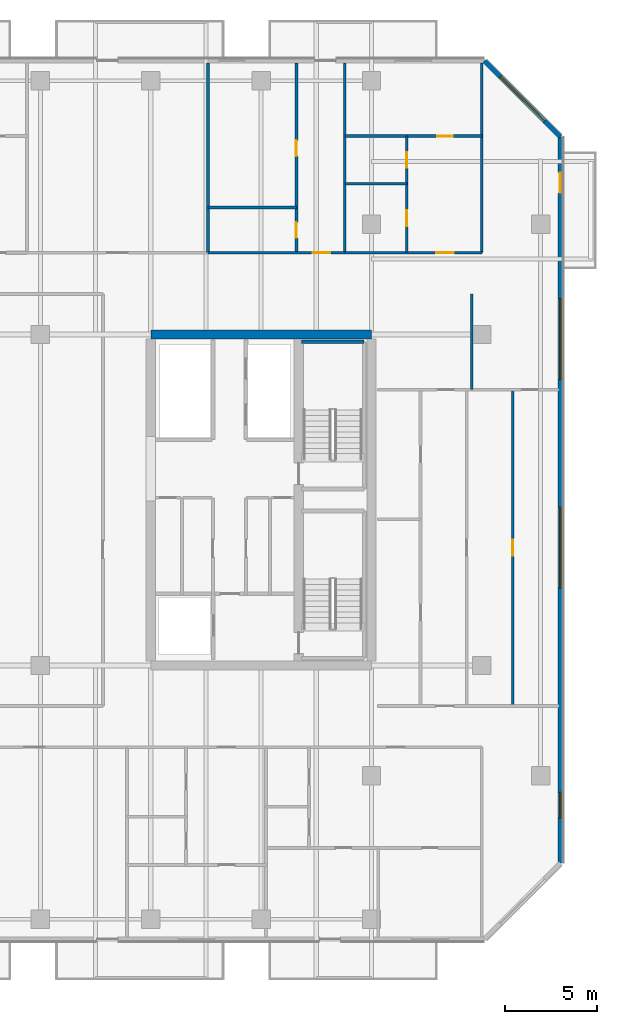
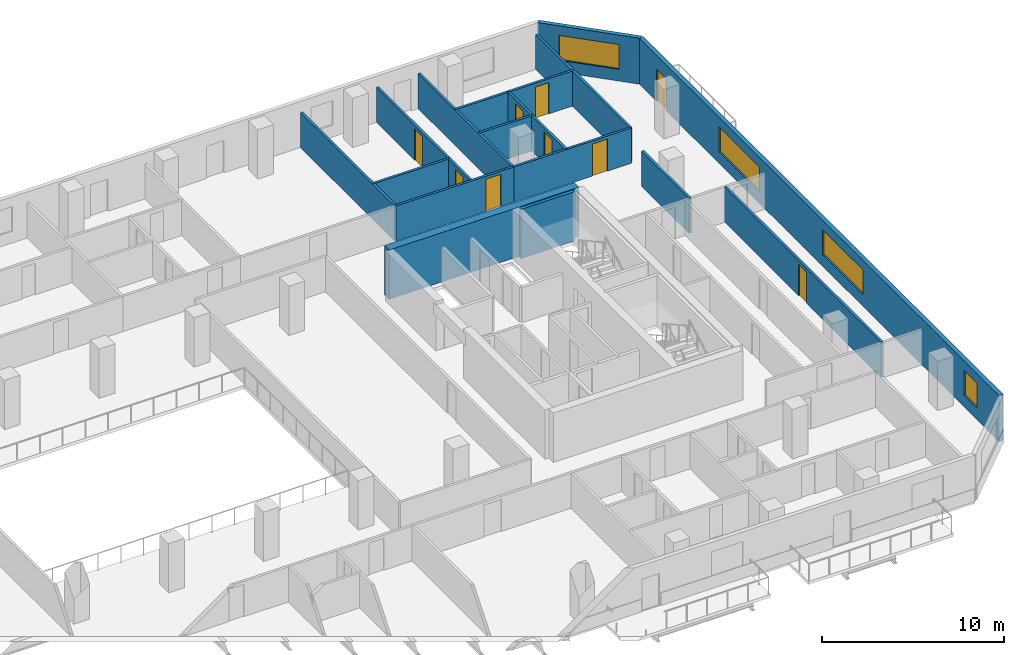
# One storey, part 16 of 23: 16 walls, 9 doors, 4 windows, 13 openings.
"""IFC4 building model written with IfcOpenShell, lengths in metres."""

from ifc_helpers import new_model, si_unit, direction, frame, frame_2d, origin, place, context, subcontext, project, spatial, rectangle, extrude, material, layer, layer_set, type_object, element, fill, save


model = new_model("IFC4")

# Units and contexts
model_context = context("Model", 3, precision=1e-05, world=origin(), true_north=direction((0.0, 1.0)))
body_context = subcontext(model_context, "Body", "Model", "MODEL_VIEW")
ifc_project = project(units=[si_unit("LENGTHUNIT", "METRE"), si_unit("AREAUNIT", "SQUARE_METRE"), si_unit("VOLUMEUNIT", "CUBIC_METRE"), si_unit("PLANEANGLEUNIT", "RADIAN"), si_unit("MASSUNIT", "GRAM", prefix="KILO")], contexts=[model_context])

# Site, building, storey
site_placement = place(None, origin())
site = spatial("IfcSite", under=ifc_project, at=site_placement, CompositionType="ELEMENT")
building_placement = place(site_placement, origin())
building = spatial("IfcBuilding", under=site, at=building_placement, Name="Tanjung Sevakor Pilgrim Tower", CompositionType="ELEMENT")
storey_placement = place(building_placement, frame((0.0, 0.0, 85.469970703125)))
storey = spatial("IfcBuildingStorey", under=building, at=storey_placement, Name="L23", CompositionType="ELEMENT", Elevation=85.469970703125)

# Walls
ifc_material_1 = material(Name="Concrete C60/75", Category="concrete")
ifc_layer_1 = layer(ifc_material_1, 0.5)
ifc_layer_set_1 = layer_set([ifc_layer_1], Name="WALL-CW-500")
wall_type_1 = type_object("IfcWallType", Name="WALL-CW-500", PredefinedType="SHEAR", material=ifc_layer_set_1)
wall_1_placement = place(storey_placement, frame((90.0, 42.60009765625, 0.0), z_axis=(0.0, 0.0, 1.0), x_axis=(-1.0, 0.0, 0.0)))
element("IfcWall", 1, at=wall_1_placement, inside=storey, type_object=wall_type_1, Name="L23 E Core North Shear Wall", PredefinedType="SHEAR", context=body_context, shape_type="SweptSolid", body=[
    extrude(rectangle(XDim=12.0, YDim=0.5, at=frame_2d((6.0, 0.0))), origin(), (0.0, 0.0, 1.0), 3.300048828125),
])
ifc_material_2 = material(Name="Concrete C40/50", Category="concrete")
ifc_layer_2 = layer(ifc_material_2, 0.14990234375)
ifc_layer_set_2 = layer_set([ifc_layer_2], Name="WT-COMP-150")
wall_type_2 = type_object("IfcWallType", Name="WT-COMP-150", PredefinedType="SOLIDWALL", material=ifc_layer_set_2)
for number, where, z_axis, x_axis, name in (
    (2, (96.0, 47.050048828125, 0.0), (0.0, 0.0, 1.0), (0.0, 1.0, 0.0), "L23 Partition IW-L23-094"),
    (3, (81.107421875, 47.050048828125, 0.0), (0.0, 0.0, 1.0), (0.0, 1.0, 0.0), "L23 Partition IW-L23-106"),
    (4, (88.5537109375, 47.050048828125, 0.0), (0.0, 0.0, 1.0), (0.0, 1.0, 0.0), "L23 Partition IW-L23-108"),
):
    element("IfcWall", number, at=place(storey_placement, frame(where, z_axis=z_axis, x_axis=x_axis)), inside=storey, type_object=wall_type_2, Name=name, PredefinedType="SOLIDWALL", context=body_context, shape_type="SweptSolid", body=[
        extrude(rectangle(XDim=10.300048828125, YDim=0.14990234375, at=frame_2d((5.14990234375, 0.0))), origin(), (0.0, 0.0, 1.0), 2.35009765625),
    ])

# Wall, opening, door
wall_2_placement = place(storey_placement, frame((81.107421875, 47.050048828125, 0.0), z_axis=(0.0, 0.0, 1.0), x_axis=(1.0, 0.0, 0.0)))
wall_2 = element("IfcWall", 5, at=wall_2_placement, inside=storey, type_object=wall_type_2, Name="L23 Partition IW-L23-111", PredefinedType="SOLIDWALL", context=body_context, shape_type="SweptSolid", body=[
    extrude(rectangle(XDim=7.4462890625, YDim=0.14990234375, at=frame_2d((3.72314453125, 0.0))), origin(), (0.0, 0.0, 1.0), 2.35009765625),
])
opening_1_placement = place(wall_2_placement, frame((5.6943359375, 0.0, 0.0)))
opening_1 = element("IfcOpeningElement", 6, at=opening_1_placement, cuts=wall_2, Name="Opening ID-FD2", PredefinedType="OPENING", context=body_context, shape_type="SweptSolid", body=[
    extrude(rectangle(XDim=0.949951171875, YDim=2.14990234375, at=frame_2d((0.47509765625, 1.074951171875))), frame((0.0, 0.0849609375, 0.0), z_axis=(0.0, -1.0, 0.0), x_axis=(1.0, 0.0, 0.0)), (0.0, 0.0, 1.0), 0.169921875),
])
ifc_material_3 = material(Name="Fire-Rated Timber", Category="wood")
door_type_1 = type_object("IfcDoorType", Name="DT-FIRE-950", OperationType="NOTDEFINED", PredefinedType="DOOR", material=ifc_material_3)
door_1_placement = place(opening_1_placement, origin())
door_1 = element("IfcDoor", 7, at=door_1_placement, inside=storey, type_object=door_type_1, Name="Hostel Quad Entrance", OperationType="SINGLE_SWING_RIGHT", OverallHeight=2.14990234375, OverallWidth=0.949951171875, PredefinedType="DOOR", context=body_context, shape_type="SweptSolid", body=[
    extrude(rectangle(XDim=0.949951171875, YDim=2.14990234375, at=frame_2d((0.47509765625, 1.074951171875))), frame((0.0, 0.02490234375, 0.0), z_axis=(0.0, -1.0, 0.0), x_axis=(1.0, 0.0, 0.0)), (0.0, 0.0, 1.0), 0.050048828125),
])
fill(opening_1, door_1)

wall_3_placement = place(storey_placement, frame((88.5537109375, 47.050048828125, 0.0), z_axis=(0.0, 0.0, 1.0), x_axis=(1.0, 0.0, 0.0)))
wall_3 = element("IfcWall", 8, at=wall_3_placement, inside=storey, type_object=wall_type_2, Name="L23 Partition IW-L23-115", PredefinedType="SOLIDWALL", context=body_context, shape_type="SweptSolid", body=[
    extrude(rectangle(XDim=7.4462890625, YDim=0.14990234375, at=frame_2d((3.72314453125, 0.0))), origin(), (0.0, 0.0, 1.0), 2.35009765625),
])
opening_2_placement = place(wall_3_placement, frame((4.97119140625, 0.0, 0.0)))
opening_2 = element("IfcOpeningElement", 9, at=opening_2_placement, cuts=wall_3, Name="Opening ID-FD2", PredefinedType="OPENING", context=body_context, shape_type="SweptSolid", body=[
    extrude(rectangle(XDim=0.949951171875, YDim=2.14990234375, at=frame_2d((0.47509765625, 1.074951171875))), frame((0.0, 0.0849609375, 0.0), z_axis=(0.0, -1.0, 0.0), x_axis=(1.0, 0.0, 0.0)), (0.0, 0.0, 1.0), 0.169921875),
])
door_2_placement = place(opening_2_placement, origin())
door_2 = element("IfcDoor", 10, at=door_2_placement, inside=storey, type_object=door_type_1, Name="Residence Entrance", OperationType="SINGLE_SWING_RIGHT", OverallHeight=2.14990234375, OverallWidth=0.949951171875, PredefinedType="DOOR", context=body_context, shape_type="SweptSolid", body=[
    extrude(rectangle(XDim=0.949951171875, YDim=2.14990234375, at=frame_2d((0.47509765625, 1.074951171875))), frame((0.0, 0.02490234375, 0.0), z_axis=(0.0, -1.0, 0.0), x_axis=(1.0, 0.0, 0.0)), (0.0, 0.0, 1.0), 0.050048828125),
])
fill(opening_2, door_2)

# Wall, openings, door, windows
ifc_material_4 = material(Name="Precast concrete C45/55", Category="concrete")
ifc_layer_3 = layer(ifc_material_4, 0.25)
ifc_layer_set_3 = layer_set([ifc_layer_3], Name="WT-EW-STN3")
wall_type_3 = type_object("IfcWallType", Name="WT-EW-STN3", PredefinedType="SOLIDWALL", material=ifc_layer_set_3)
wall_4_placement = place(storey_placement, frame((100.27490234375, 13.851806640625, 0.0), z_axis=(0.0, 0.0, 1.0), x_axis=(0.0, 1.0, 0.0)))
wall_4 = element("IfcWall", 11, at=wall_4_placement, inside=storey, type_object=wall_type_3, Name="L23 MAIN Exterior Wall 7", PredefinedType="SOLIDWALL", context=body_context, shape_type="SweptSolid", body=[
    extrude(rectangle(XDim=39.496337890625, YDim=0.25, at=frame_2d((19.748046875, 0.0))), origin(), (0.0, 0.0, 1.0), 3.080078125),
])
opening_3_placement = place(wall_4_placement, frame((36.4482421875, 0.0, 0.0)))
opening_3 = element("IfcOpeningElement", 12, at=opening_3_placement, cuts=wall_4, Name="Opening ED-BAL-1100", PredefinedType="OPENING", context=body_context, shape_type="SweptSolid", body=[
    extrude(rectangle(XDim=1.10009765625, YDim=2.14990234375, at=frame_2d((0.550048828125, 1.074951171875))), frame((0.0, 0.135009765625, 0.0), z_axis=(0.0, -1.0, 0.0), x_axis=(1.0, 0.0, 0.0)), (0.0, 0.0, 1.0), 0.27001953125),
])
opening_4_placement = place(wall_4_placement, frame((14.958251953125, 0.0, 0.780029296875)))
opening_4 = element("IfcOpeningElement", 13, at=opening_4_placement, cuts=wall_4, Name="Opening WN-ENDW-1660", PredefinedType="OPENING", context=body_context, shape_type="SweptSolid", body=[
    extrude(rectangle(XDim=4.39990234375, YDim=1.659912109375, at=frame_2d((2.199951171875, 0.830078125))), frame((0.0, 0.135009765625, 0.0), z_axis=(0.0, -1.0, 0.0), x_axis=(1.0, 0.0, 0.0)), (0.0, 0.0, 1.0), 0.27001953125),
])
opening_5_placement = place(wall_4_placement, frame((26.298095703125, 0.0, 0.780029296875)))
opening_5 = element("IfcOpeningElement", 14, at=opening_5_placement, cuts=wall_4, Name="Opening WN-ENDW-1660", PredefinedType="OPENING", context=body_context, shape_type="SweptSolid", body=[
    extrude(rectangle(XDim=4.39990234375, YDim=1.659912109375, at=frame_2d((2.199951171875, 0.830078125))), frame((0.0, 0.135009765625, 0.0), z_axis=(0.0, -1.0, 0.0), x_axis=(1.0, 0.0, 0.0)), (0.0, 0.0, 1.0), 0.27001953125),
])
opening_6_placement = place(wall_4_placement, frame((2.4541015625, 0.0, 0.780029296875)))
opening_6 = element("IfcOpeningElement", 15, at=opening_6_placement, cuts=wall_4, Name="Opening WN-END", PredefinedType="OPENING", context=body_context, shape_type="SweptSolid", body=[
    extrude(rectangle(XDim=1.39990234375, YDim=1.64990234375, at=frame_2d((0.699951171875, 0.824951171875))), frame((0.0, 0.135009765625, 0.0), z_axis=(0.0, -1.0, 0.0), x_axis=(1.0, 0.0, 0.0)), (0.0, 0.0, 1.0), 0.27001953125),
])
ifc_material_5 = material(Name="Anodised Aluminium and Laminated Glass", Category="aluminium")
door_type_2 = type_object("IfcDoorType", Name="DTYP-ED-BAL-1100", OperationType="NOTDEFINED", PredefinedType="DOOR", material=ifc_material_5)
door_3_placement = place(opening_3_placement, frame((1.10009765625, 0.0, 0.0), z_axis=(0.0, 0.0, 1.0), x_axis=(-1.0, 0.0, 0.0)))
door_3 = element("IfcDoor", 16, at=door_3_placement, inside=storey, type_object=door_type_2, Name="L23 East Loggia Door MAIN-E1", OperationType="SINGLE_SWING_RIGHT", OverallHeight=2.14990234375, OverallWidth=1.10009765625, PredefinedType="DOOR", context=body_context, shape_type="SweptSolid", body=[
    extrude(rectangle(XDim=1.10009765625, YDim=2.14990234375, at=frame_2d((0.550048828125, 1.074951171875))), frame((0.0, 0.02490234375, 0.0), z_axis=(0.0, -1.0, 0.0), x_axis=(1.0, 0.0, 0.0)), (0.0, 0.0, 1.0), 0.050048828125),
])
fill(opening_3, door_3)
ifc_material_6 = material(Name="Thermally Broken Aluminium and Low-E Glass", Category="aluminium")
window_type_1 = type_object("IfcWindowType", Name="WTYP-WN-END", PartitioningType="SINGLE_PANEL", PredefinedType="WINDOW", material=ifc_material_6)
window_1_placement = place(opening_6_placement, origin())
window_1 = element("IfcWindow", 17, at=window_1_placement, inside=storey, type_object=window_type_1, Name="L23 Facade Window 03", OverallHeight=1.64990234375, OverallWidth=1.39990234375, PartitioningType="SINGLE_PANEL", PredefinedType="WINDOW", context=body_context, shape_type="SweptSolid", body=[
    extrude(rectangle(XDim=1.39990234375, YDim=1.64990234375, at=frame_2d((0.699951171875, 0.824951171875))), frame((0.0, 0.030029296875, 0.0), z_axis=(0.0, -1.0, 0.0), x_axis=(1.0, 0.0, 0.0)), (0.0, 0.0, 1.0), 0.06005859375),
])
fill(opening_6, window_1)
ifc_material_7 = material(Name="Thermally Broken Aluminium and Low-E Glass", Category="aluminium")
window_type_2 = type_object("IfcWindowType", Name="WTYP-WN-ENDW-1660", PartitioningType="DOUBLE_PANEL_VERTICAL", PredefinedType="WINDOW", material=ifc_material_7)
window_2_placement = place(opening_4_placement, origin())
window_2 = element("IfcWindow", 18, at=window_2_placement, inside=storey, type_object=window_type_2, Name="L23 Facade Window 01", OverallHeight=1.659912109375, OverallWidth=4.39990234375, PartitioningType="SINGLE_PANEL", PredefinedType="WINDOW", context=body_context, shape_type="SweptSolid", body=[
    extrude(rectangle(XDim=4.39990234375, YDim=1.659912109375, at=frame_2d((2.199951171875, 0.830078125))), frame((0.0, 0.030029296875, 0.0), z_axis=(0.0, -1.0, 0.0), x_axis=(1.0, 0.0, 0.0)), (0.0, 0.0, 1.0), 0.06005859375),
])
fill(opening_4, window_2)
window_3_placement = place(opening_5_placement, origin())
window_3 = element("IfcWindow", 19, at=window_3_placement, inside=storey, type_object=window_type_2, Name="L23 Facade Window 02", OverallHeight=1.659912109375, OverallWidth=4.39990234375, PartitioningType="SINGLE_PANEL", PredefinedType="WINDOW", context=body_context, shape_type="SweptSolid", body=[
    extrude(rectangle(XDim=4.39990234375, YDim=1.659912109375, at=frame_2d((2.199951171875, 0.830078125))), frame((0.0, 0.030029296875, 0.0), z_axis=(0.0, -1.0, 0.0), x_axis=(1.0, 0.0, 0.0)), (0.0, 0.0, 1.0), 0.06005859375),
])
fill(opening_5, window_3)

# Wall, opening, window
wall_5_placement = place(storey_placement, frame((100.27490234375, 53.34814453125, 0.0), z_axis=(0.0, 0.0, 1.0), x_axis=(-0.70708586489, 0.707127696864, 0.0)))
wall_5 = element("IfcWall", 20, at=wall_5_placement, inside=storey, type_object=wall_type_3, Name="L23 MAIN Sculpted Corner Wall 7", PredefinedType="SOLIDWALL", context=body_context, shape_type="SweptSolid", body=[
    extrude(rectangle(XDim=5.836181640625, YDim=0.25, at=frame_2d((2.91796875, 0.0))), origin(), (0.0, 0.0, 1.0), 3.080078125),
])
opening_7_placement = place(wall_5_placement, frame((1.218017578125, 0.0, 0.780029296875)))
opening_7 = element("IfcOpeningElement", 21, at=opening_7_placement, cuts=wall_5, Name="Opening WN-CHM-1660", PredefinedType="OPENING", context=body_context, shape_type="SweptSolid", body=[
    extrude(rectangle(XDim=3.39990234375, YDim=1.659912109375, at=frame_2d((1.699951171875, 0.830078125))), frame((0.0, 0.135009765625, 0.0), z_axis=(0.0, -1.0, 0.0), x_axis=(1.0, 0.0, 0.0)), (0.0, 0.0, 1.0), 0.27001953125),
])
ifc_material_8 = material(Name="Thermally Broken Aluminium and Low-E Glass", Category="aluminium")
window_type_3 = type_object("IfcWindowType", Name="WTYP-WN-CHM-1660", PartitioningType="DOUBLE_PANEL_VERTICAL", PredefinedType="WINDOW", material=ifc_material_8)
window_4_placement = place(opening_7_placement, origin())
window_4 = element("IfcWindow", 22, at=window_4_placement, inside=storey, type_object=window_type_3, Name="L23 Facade Window 01", OverallHeight=1.659912109375, OverallWidth=3.39990234375, PartitioningType="SINGLE_PANEL", PredefinedType="WINDOW", context=body_context, shape_type="SweptSolid", body=[
    extrude(rectangle(XDim=3.39990234375, YDim=1.659912109375, at=frame_2d((1.699951171875, 0.830078125))), frame((0.0, 0.030029296875, 0.0), z_axis=(0.0, -1.0, 0.0), x_axis=(1.0, 0.0, 0.0)), (0.0, 0.0, 1.0), 0.06005859375),
])
fill(opening_7, window_4)

# Wall
ifc_material_9 = material(Name="Concrete C40/50", Category="concrete")
ifc_layer_4 = layer(ifc_material_9, 0.199951171875)
ifc_layer_set_4 = layer_set([ifc_layer_4], Name="WT-FIRE-200")
wall_type_4 = type_object("IfcWallType", Name="WT-FIRE-200", PredefinedType="SOLIDWALL", material=ifc_layer_set_4)
wall_6_placement = place(storey_placement, frame((89.60009765625, 42.199951171875, 0.0), z_axis=(0.0, 0.0, 1.0), x_axis=(-1.0, 0.0, 0.0)))
element("IfcWall", 23, at=wall_6_placement, inside=storey, type_object=wall_type_4, Name="L23 TS-E2 Shaft Wall 3", PredefinedType="SOLIDWALL", context=body_context, shape_type="SweptSolid", body=[
    extrude(rectangle(XDim=3.400146484375, YDim=0.199951171875, at=frame_2d((1.7001953125, 0.0))), origin(), (0.0, 0.0, 1.0), 3.300048828125),
])

# Wall, opening, door
ifc_material_10 = material(Name="Gypsum Board Partition", Category="gypsum board")
ifc_layer_5 = layer(ifc_material_10, 0.14990234375)
ifc_layer_set_5 = layer_set([ifc_layer_5], Name="WT-PART-150")
wall_type_5 = type_object("IfcWallType", Name="WT-PART-150", PredefinedType="PARTITIONING", material=ifc_layer_set_5)
wall_7_placement = place(storey_placement, frame((97.683349609375, 22.39990234375, 0.0), z_axis=(0.0, 0.0, 1.0), x_axis=(0.0, 1.0, 0.0)))
wall_7 = element("IfcWall", 24, at=wall_7_placement, inside=storey, type_object=wall_type_5, Name="L23 Partition IW-L23-039", PredefinedType="PARTITIONING", context=body_context, shape_type="SweptSolid", body=[
    extrude(rectangle(XDim=17.2001953125, YDim=0.14990234375, at=frame_2d((8.60009765625, 0.0))), origin(), (0.0, 0.0, 1.0), 2.35009765625),
])
opening_8_placement = place(wall_7_placement, frame((8.175048828125, 0.0, 0.0)))
opening_8 = element("IfcOpeningElement", 25, at=opening_8_placement, cuts=wall_7, Name="Opening ID-WC1", PredefinedType="OPENING", context=body_context, shape_type="SweptSolid", body=[
    extrude(rectangle(XDim=0.85009765625, YDim=2.10009765625, at=frame_2d((0.425048828125, 1.050048828125))), frame((0.0, 0.0849609375, 0.0), z_axis=(0.0, -1.0, 0.0), x_axis=(1.0, 0.0, 0.0)), (0.0, 0.0, 1.0), 0.169921875),
])
ifc_material_11 = material(Name="Moisture-Resistant Timber", Category="wood")
door_type_3 = type_object("IfcDoorType", Name="DT-INT-850", OperationType="NOTDEFINED", PredefinedType="DOOR", material=ifc_material_11)
door_4_placement = place(opening_8_placement, origin())
door_4 = element("IfcDoor", 26, at=door_4_placement, inside=storey, type_object=door_type_3, Name="Suite Reading Room Door", OperationType="SINGLE_SWING_LEFT", OverallHeight=2.10009765625, OverallWidth=0.85009765625, PredefinedType="DOOR", context=body_context, shape_type="SweptSolid", body=[
    extrude(rectangle(XDim=0.85009765625, YDim=2.10009765625, at=frame_2d((0.425048828125, 1.050048828125))), frame((0.0, 0.02490234375, 0.0), z_axis=(0.0, -1.0, 0.0), x_axis=(1.0, 0.0, 0.0)), (0.0, 0.0, 1.0), 0.050048828125),
])
fill(opening_8, door_4)

# Walls
wall_8_placement = place(storey_placement, frame((95.452392578125, 39.60009765625, 0.0), z_axis=(0.0, 0.0, 1.0), x_axis=(0.0, 1.0, 0.0)))
element("IfcWall", 27, at=wall_8_placement, inside=storey, type_object=wall_type_5, Name="L23 Partition IW-L23-042", PredefinedType="PARTITIONING", context=body_context, shape_type="SweptSolid", body=[
    extrude(rectangle(XDim=5.199951171875, YDim=0.14990234375, at=frame_2d((2.60009765625, 0.0))), origin(), (0.0, 0.0, 1.0), 2.35009765625),
])
wall_9_placement = place(storey_placement, frame((81.107421875, 49.5, 0.0), z_axis=(0.0, 0.0, 1.0), x_axis=(1.0, 0.0, 0.0)))
element("IfcWall", 28, at=wall_9_placement, inside=storey, type_object=wall_type_5, Name="L23 Partition IW-L23-109", PredefinedType="PARTITIONING", context=body_context, shape_type="SweptSolid", body=[
    extrude(rectangle(XDim=4.8125, YDim=0.14990234375, at=frame_2d((2.40625, 0.0))), origin(), (0.0, 0.0, 1.0), 2.35009765625),
])

# Wall, openings, doors
wall_10_placement = place(storey_placement, frame((85.919921875, 47.050048828125, 0.0), z_axis=(0.0, 0.0, 1.0), x_axis=(0.0, 1.0, 0.0)))
wall_10 = element("IfcWall", 29, at=wall_10_placement, inside=storey, type_object=wall_type_5, Name="L23 Partition IW-L23-110", PredefinedType="PARTITIONING", context=body_context, shape_type="SweptSolid", body=[
    extrude(rectangle(XDim=10.300048828125, YDim=0.14990234375, at=frame_2d((5.14990234375, 0.0))), origin(), (0.0, 0.0, 1.0), 2.35009765625),
])
opening_9_placement = place(wall_10_placement, frame((0.800048828125, 0.0, 0.0)))
opening_9 = element("IfcOpeningElement", 30, at=opening_9_placement, cuts=wall_10, Name="Opening ID-WC1", PredefinedType="OPENING", context=body_context, shape_type="SweptSolid", body=[
    extrude(rectangle(XDim=0.85009765625, YDim=2.10009765625, at=frame_2d((0.425048828125, 1.050048828125))), frame((0.0, 0.0849609375, 0.0), z_axis=(0.0, -1.0, 0.0), x_axis=(1.0, 0.0, 0.0)), (0.0, 0.0, 1.0), 0.169921875),
])
opening_10_placement = place(wall_10_placement, frame((5.25, 0.0, 0.0)))
opening_10 = element("IfcOpeningElement", 31, at=opening_10_placement, cuts=wall_10, Name="Opening ID-WC1", PredefinedType="OPENING", context=body_context, shape_type="SweptSolid", body=[
    extrude(rectangle(XDim=0.85009765625, YDim=2.10009765625, at=frame_2d((0.425048828125, 1.050048828125))), frame((0.0, 0.0849609375, 0.0), z_axis=(0.0, -1.0, 0.0), x_axis=(1.0, 0.0, 0.0)), (0.0, 0.0, 1.0), 0.169921875),
])
door_5_placement = place(opening_9_placement, origin())
door_5 = element("IfcDoor", 32, at=door_5_placement, inside=storey, type_object=door_type_3, Name="Bathroom Door", OperationType="SINGLE_SWING_RIGHT", OverallHeight=2.10009765625, OverallWidth=0.85009765625, PredefinedType="DOOR", context=body_context, shape_type="SweptSolid", body=[
    extrude(rectangle(XDim=0.85009765625, YDim=2.10009765625, at=frame_2d((0.425048828125, 1.050048828125))), frame((0.0, 0.02490234375, 0.0), z_axis=(0.0, -1.0, 0.0), x_axis=(1.0, 0.0, 0.0)), (0.0, 0.0, 1.0), 0.050048828125),
])
fill(opening_9, door_5)
door_6_placement = place(opening_10_placement, origin())
door_6 = element("IfcDoor", 33, at=door_6_placement, inside=storey, type_object=door_type_3, Name="Study Nook Door", OperationType="SINGLE_SWING_LEFT", OverallHeight=2.10009765625, OverallWidth=0.85009765625, PredefinedType="DOOR", context=body_context, shape_type="SweptSolid", body=[
    extrude(rectangle(XDim=0.85009765625, YDim=2.10009765625, at=frame_2d((0.425048828125, 1.050048828125))), frame((0.0, 0.02490234375, 0.0), z_axis=(0.0, -1.0, 0.0), x_axis=(1.0, 0.0, 0.0)), (0.0, 0.0, 1.0), 0.050048828125),
])
fill(opening_10, door_6)

# Wall
wall_11_placement = place(storey_placement, frame((88.5537109375, 50.78955078125, 0.0), z_axis=(0.0, 0.0, 1.0), x_axis=(1.0, 0.0, 0.0)))
element("IfcWall", 34, at=wall_11_placement, inside=storey, type_object=wall_type_5, Name="L23 Partition IW-L23-112", PredefinedType="PARTITIONING", context=body_context, shape_type="SweptSolid", body=[
    extrude(rectangle(XDim=3.3662109375, YDim=0.14990234375, at=frame_2d((1.68310546875, 0.0))), origin(), (0.0, 0.0, 1.0), 2.35009765625),
])

# Wall, openings, doors
wall_12_placement = place(storey_placement, frame((91.919921875, 47.050048828125, 0.0), z_axis=(0.0, 0.0, 1.0), x_axis=(0.0, 1.0, 0.0)))
wall_12 = element("IfcWall", 35, at=wall_12_placement, inside=storey, type_object=wall_type_5, Name="L23 Partition IW-L23-113", PredefinedType="PARTITIONING", context=body_context, shape_type="SweptSolid", body=[
    extrude(rectangle(XDim=6.338134765625, YDim=0.14990234375, at=frame_2d((3.1689453125, 0.0))), origin(), (0.0, 0.0, 1.0), 2.35009765625),
])
opening_11_placement = place(wall_12_placement, frame((1.44482421875, 0.0, 0.0)))
opening_11 = element("IfcOpeningElement", 36, at=opening_11_placement, cuts=wall_12, Name="Opening ID-WC1", PredefinedType="OPENING", context=body_context, shape_type="SweptSolid", body=[
    extrude(rectangle(XDim=0.85009765625, YDim=2.10009765625, at=frame_2d((0.425048828125, 1.050048828125))), frame((0.0, 0.0849609375, 0.0), z_axis=(0.0, -1.0, 0.0), x_axis=(1.0, 0.0, 0.0)), (0.0, 0.0, 1.0), 0.169921875),
])
opening_12_placement = place(wall_12_placement, frame((4.614013671875, 0.0, 0.0)))
opening_12 = element("IfcOpeningElement", 37, at=opening_12_placement, cuts=wall_12, Name="Opening ID-WC1", PredefinedType="OPENING", context=body_context, shape_type="SweptSolid", body=[
    extrude(rectangle(XDim=0.85009765625, YDim=2.10009765625, at=frame_2d((0.425048828125, 1.050048828125))), frame((0.0, 0.0849609375, 0.0), z_axis=(0.0, -1.0, 0.0), x_axis=(1.0, 0.0, 0.0)), (0.0, 0.0, 1.0), 0.169921875),
])
door_7_placement = place(opening_11_placement, origin())
door_7 = element("IfcDoor", 38, at=door_7_placement, inside=storey, type_object=door_type_3, Name="Residence Kitchenette Door", OperationType="SINGLE_SWING_LEFT", OverallHeight=2.10009765625, OverallWidth=0.85009765625, PredefinedType="DOOR", context=body_context, shape_type="SweptSolid", body=[
    extrude(rectangle(XDim=0.85009765625, YDim=2.10009765625, at=frame_2d((0.425048828125, 1.050048828125))), frame((0.0, 0.02490234375, 0.0), z_axis=(0.0, -1.0, 0.0), x_axis=(1.0, 0.0, 0.0)), (0.0, 0.0, 1.0), 0.050048828125),
])
fill(opening_11, door_7)
door_8_placement = place(opening_12_placement, origin())
door_8 = element("IfcDoor", 39, at=door_8_placement, inside=storey, type_object=door_type_3, Name="Residence Bathroom Door", OperationType="SINGLE_SWING_RIGHT", OverallHeight=2.10009765625, OverallWidth=0.85009765625, PredefinedType="DOOR", context=body_context, shape_type="SweptSolid", body=[
    extrude(rectangle(XDim=0.85009765625, YDim=2.10009765625, at=frame_2d((0.425048828125, 1.050048828125))), frame((0.0, 0.02490234375, 0.0), z_axis=(0.0, -1.0, 0.0), x_axis=(1.0, 0.0, 0.0)), (0.0, 0.0, 1.0), 0.050048828125),
])
fill(opening_12, door_8)

# Wall, opening, door
wall_13_placement = place(storey_placement, frame((88.5537109375, 53.38818359375, 0.0), z_axis=(0.0, 0.0, 1.0), x_axis=(1.0, 0.0, 0.0)))
wall_13 = element("IfcWall", 40, at=wall_13_placement, inside=storey, type_object=wall_type_5, Name="L23 Partition IW-L23-114", PredefinedType="PARTITIONING", context=body_context, shape_type="SweptSolid", body=[
    extrude(rectangle(XDim=7.4462890625, YDim=0.14990234375, at=frame_2d((3.72314453125, 0.0))), origin(), (0.0, 0.0, 1.0), 2.35009765625),
])
opening_13_placement = place(wall_13_placement, frame((5.021240234375, 0.0, 0.0)))
opening_13 = element("IfcOpeningElement", 41, at=opening_13_placement, cuts=wall_13, Name="Opening ID-WC1", PredefinedType="OPENING", context=body_context, shape_type="SweptSolid", body=[
    extrude(rectangle(XDim=0.85009765625, YDim=2.10009765625, at=frame_2d((0.425048828125, 1.050048828125))), frame((0.0, 0.0849609375, 0.0), z_axis=(0.0, -1.0, 0.0), x_axis=(1.0, 0.0, 0.0)), (0.0, 0.0, 1.0), 0.169921875),
])
door_9_placement = place(opening_13_placement, origin())
door_9 = element("IfcDoor", 42, at=door_9_placement, inside=storey, type_object=door_type_3, Name="Residence Bedroom Door", OperationType="SINGLE_SWING_LEFT", OverallHeight=2.10009765625, OverallWidth=0.85009765625, PredefinedType="DOOR", context=body_context, shape_type="SweptSolid", body=[
    extrude(rectangle(XDim=0.85009765625, YDim=2.10009765625, at=frame_2d((0.425048828125, 1.050048828125))), frame((0.0, 0.02490234375, 0.0), z_axis=(0.0, -1.0, 0.0), x_axis=(1.0, 0.0, 0.0)), (0.0, 0.0, 1.0), 0.050048828125),
])
fill(opening_13, door_9)

save(model, "model.ifc")
